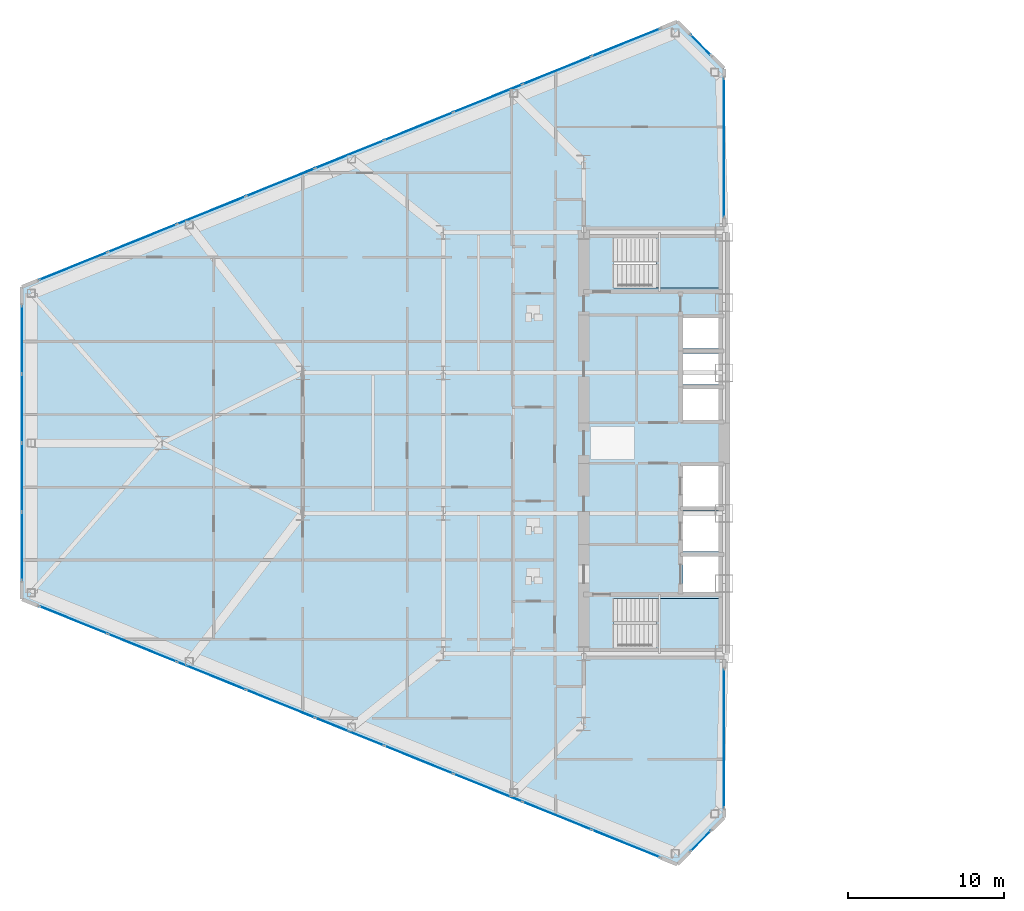
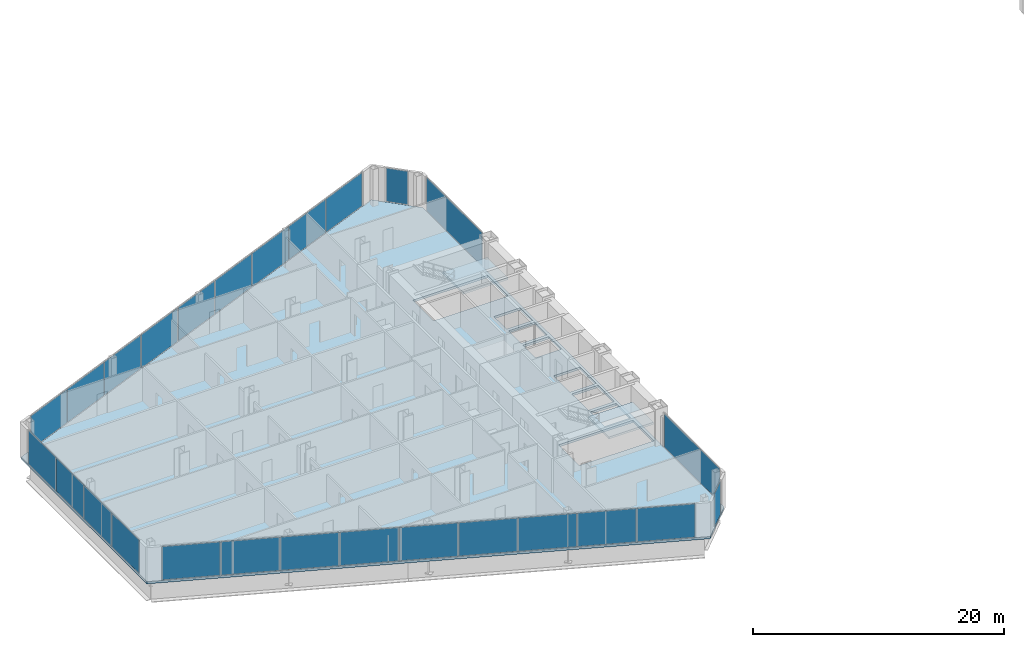
# One storey, part 16 of 26: 26 plates, 3 slabs, 9 elements without a shape of their own.
"""IFC4 building model written with IfcOpenShell, lengths in metres."""

from ifc_helpers import new_model, si_unit, direction, frame, origin, origin_2d, place, context, subcontext, project, spatial, polyline, rectangle, outline, extrude, source, transform, mapped, material, layer, layer_set, type_object, type_shapes, element, aggregate, save


model = new_model("IFC4")

# Units and contexts
model_context = context("Model", 3, precision=1e-05, world=origin(), true_north=direction((0.0, 1.0)))
body_context = subcontext(model_context, "Body", "Model", "MODEL_VIEW")
ifc_project = project(units=[si_unit("LENGTHUNIT", "METRE"), si_unit("AREAUNIT", "SQUARE_METRE"), si_unit("VOLUMEUNIT", "CUBIC_METRE"), si_unit("PLANEANGLEUNIT", "RADIAN"), si_unit("MASSUNIT", "GRAM", prefix="KILO")], contexts=[model_context])

# Site, building, storey
site_placement = place(None, origin())
site = spatial("IfcSite", under=ifc_project, at=site_placement, CompositionType="ELEMENT")
building_placement = place(site_placement, origin())
building = spatial("IfcBuilding", under=site, at=building_placement, Name="Seokmaru Belvedere", CompositionType="ELEMENT")
storey_placement = place(building_placement, frame((0.0, 0.0, 18.89990234375)))
storey = spatial("IfcBuildingStorey", under=building, at=storey_placement, Name="L04", CompositionType="ELEMENT", Elevation=18.89990234375)

# Stair, slab
ifc_material_1 = material(Name="Concrete C40 (40 MPa)", Category="concrete")
stair_type = type_object("IfcStairType", Name="Typical Tower Core Dog-Leg Stair 3600", PredefinedType="TWO_STRAIGHT_RUN_STAIR", material=ifc_material_1)
stair_1_placement = place(storey_placement, origin())
stair_1 = element("IfcStair", 1, at=stair_1_placement, inside=storey, type_object=stair_type, Name="L04 Special Escape Stair ST-W1", PredefinedType="TWO_STRAIGHT_RUN_STAIR")
ifc_layer_1 = layer(ifc_material_1, 0.199951171875)
ifc_layer_set_1 = layer_set([ifc_layer_1], Name="Concrete C40 (40 MPa)")
slab_type_1 = type_object("IfcSlabType", Name="Reinforced Concrete Stair Landing Slab 200", PredefinedType="LANDING", material=ifc_layer_set_1)
slab_1_placement = place(storey_placement, frame((0.0, 0.0, 1.60009765625)))
slab_1 = element("IfcSlab", 2, at=slab_1_placement, type_object=slab_type_1, Name="ST-W1 landing 1", PredefinedType="LANDING", context=body_context, shape_type="SweptSolid", body=[
    extrude(outline(polyline([(-31.8798828125, -13.239990234375), (-27.760009765625, -13.239990234375), (-27.760009765625, -9.949951171875), (-31.8798828125, -9.949951171875), (-31.8798828125, -13.239990234375)])), origin(), (0.0, 0.0, 1.0), 0.199951171875),
])
aggregate(stair_1, [slab_1])

stair_2_placement = place(storey_placement, origin())
stair_2 = element("IfcStair", 3, at=stair_2_placement, inside=storey, type_object=stair_type, Name="L04 Special Escape Stair ST-W2", PredefinedType="TWO_STRAIGHT_RUN_STAIR")
slab_2_placement = place(storey_placement, frame((0.0, 0.0, 1.60009765625)))
slab_2 = element("IfcSlab", 4, at=slab_2_placement, type_object=slab_type_1, Name="ST-W2 landing 1", PredefinedType="LANDING", context=body_context, shape_type="SweptSolid", body=[
    extrude(outline(polyline([(-31.8798828125, 9.949951171875), (-27.760009765625, 9.949951171875), (-27.760009765625, 13.239990234375), (-31.8798828125, 13.239990234375), (-31.8798828125, 9.949951171875)])), origin(), (0.0, 0.0, 1.0), 0.199951171875),
])
aggregate(stair_2, [slab_2])

# Slab
ifc_layer_2 = layer(ifc_material_1, 0.219970703125)
ifc_layer_set_2 = layer_set([ifc_layer_2], Name="Concrete C40 (40 MPa)")
slab_type_2 = type_object("IfcSlabType", Name="Typical Tower Composite Floor Slab 220", PredefinedType="FLOOR", material=ifc_layer_set_2)
slab_3_placement = place(storey_placement, frame((0.0, 0.0, -0.219970703125)))
element("IfcSlab", 5, at=slab_3_placement, inside=storey, type_object=slab_type_2, Name="L04 West Leg Floor Slab", PredefinedType="FLOOR", context=body_context, shape_type="SweptSolid", body=[
    extrude(outline(polyline([(-27.5, -24.0), (-27.5, 24.0), (-30.5, 27.0), (-72.5, 10.0), (-72.5, -10.0), (-30.5, -27.0), (-27.5, -24.0)]), holes=[polyline([(-34.60009765625, -13.25), (-27.75, -13.25), (-27.75, -9.949951171875), (-34.60009765625, -9.949951171875), (-34.60009765625, -13.25)]), polyline([(-34.60009765625, 9.949951171875), (-27.75, 9.949951171875), (-27.75, 13.25), (-34.60009765625, 13.25), (-34.60009765625, 9.949951171875)]), polyline([(-30.14990234375, -9.550048828125), (-27.75, -9.550048828125), (-27.75, -7.25), (-30.14990234375, -7.25), (-30.14990234375, -9.550048828125)]), polyline([(-30.14990234375, -6.949951171875), (-27.75, -6.949951171875), (-27.75, -4.35009765625), (-30.14990234375, -4.35009765625), (-30.14990234375, -6.949951171875)]), polyline([(-30.14990234375, -4.050048828125), (-27.75, -4.050048828125), (-27.75, -1.449951171875), (-30.14990234375, -1.449951171875), (-30.14990234375, -4.050048828125)]), polyline([(-30.14990234375, 1.449951171875), (-27.75, 1.449951171875), (-27.75, 3.449951171875), (-30.14990234375, 3.449951171875), (-30.14990234375, 1.449951171875)]), polyline([(-30.14990234375, 3.75), (-27.75, 3.75), (-27.75, 5.75), (-30.14990234375, 5.75), (-30.14990234375, 3.75)]), polyline([(-30.14990234375, 6.050048828125), (-27.75, 6.050048828125), (-27.75, 8.050048828125), (-30.14990234375, 8.050048828125), (-30.14990234375, 6.050048828125)])]), origin(), (0.0, 0.0, 1.0), 0.219970703125),
])

# Curtain wall, plate
ifc_material_2 = material(Name="Bronze Triple Insulating Glass", Category="glass")
ifc_layer_3 = layer(ifc_material_2, 0.2099609375)
ifc_layer_set_3 = layer_set([ifc_layer_3], Name="Bronze Triple Insulating Glass")
curtain_wall_type = type_object("IfcCurtainWallType", Name="Low-Rise Faceted Crystal Curtain Wall System CW-2", PredefinedType="NOTDEFINED", material=ifc_layer_set_3)
curtain_wall_1_placement = place(storey_placement, origin())
curtain_wall_1 = element("IfcCurtainWall", 6, at=curtain_wall_1_placement, inside=storey, type_object=curtain_wall_type, Name="L04 Curtain Wall WSP_1", PredefinedType="NOTDEFINED")
ifc_layer_4 = layer(ifc_material_2, 0.035888671875)
ifc_layer_set_4 = layer_set([ifc_layer_4], Name="Bronze Triple Insulating Glass")
plate_type = type_object("IfcPlateType", Name="Bronze Triple Vision Glazing Panel 36", PredefinedType="CURTAIN_PANEL", material=ifc_layer_set_4)
shared_shape_1 = source(origin(), body_context, "Body", "SweptSolid", [
    extrude(rectangle(XDim=8.85009765625, YDim=0.035888671875, at=origin_2d()), origin(), (0.0, 0.0, 1.0), 3.239990234375),
])
plate_1_placement = place(storey_placement, frame((-27.5, -18.929931640625, 0.0703125), z_axis=(0.0, 0.0, 1.0), x_axis=(0.0, 1.0, 0.0)))
plate_1 = element("IfcPlate", 7, at=plate_1_placement, type_object=plate_type, Name="CW:L04:WSP_1 Glazing Panel 1-1", PredefinedType="CURTAIN_PANEL", context=body_context, shape_type="MappedRepresentation", body=[
    mapped(shared_shape_1, transform((0.0, 0.0, 0.0), scale=1.0)),
])
aggregate(curtain_wall_1, [plate_1])

curtain_wall_2_placement = place(storey_placement, origin())
curtain_wall_2 = element("IfcCurtainWall", 8, at=curtain_wall_2_placement, inside=storey, type_object=curtain_wall_type, Name="L04 Curtain Wall WSP_2", PredefinedType="NOTDEFINED")
plate_2_placement = place(storey_placement, frame((-27.5, 18.929931640625, 0.0703125), z_axis=(0.0, 0.0, 1.0), x_axis=(0.0, 1.0, 0.0)))
plate_2 = element("IfcPlate", 9, at=plate_2_placement, type_object=plate_type, Name="CW:L04:WSP_2 Glazing Panel 1-1", PredefinedType="CURTAIN_PANEL", context=body_context, shape_type="MappedRepresentation", body=[
    mapped(shared_shape_1, transform((0.0, 0.0, 0.0), scale=1.0)),
])
aggregate(curtain_wall_2, [plate_2])

curtain_wall_3_placement = place(storey_placement, origin())
curtain_wall_3 = element("IfcCurtainWall", 10, at=curtain_wall_3_placement, inside=storey, type_object=curtain_wall_type, Name="L04 Curtain Wall WF2", PredefinedType="NOTDEFINED")
shared_shape_2 = source(origin(), body_context, "Body", "SweptSolid", [
    extrude(rectangle(XDim=1.79248046875, YDim=0.035888671875, at=origin_2d()), origin(), (0.0, 0.0, 1.0), 3.239990234375),
])
plate_3_placement = place(storey_placement, frame((-29.0, 25.5, 0.0703125), z_axis=(0.0, 0.0, 1.0), x_axis=(-0.707106781187, 0.707106781187, 0.0)))
plate_3 = element("IfcPlate", 11, at=plate_3_placement, type_object=plate_type, Name="CW:L04:WF2 Glazing Panel 1-1", PredefinedType="CURTAIN_PANEL", context=body_context, shape_type="MappedRepresentation", body=[
    mapped(shared_shape_2, transform((0.0, 0.0, 0.0), scale=1.0)),
])
aggregate(curtain_wall_3, [plate_3])

curtain_wall_4_placement = place(storey_placement, origin())
curtain_wall_4 = element("IfcCurtainWall", 12, at=curtain_wall_4_placement, inside=storey, type_object=curtain_wall_type, Name="L04 Curtain Wall WF6", PredefinedType="NOTDEFINED")
plate_4_placement = place(storey_placement, frame((-29.0, -25.5, 0.0703125), z_axis=(0.0, 0.0, 1.0), x_axis=(0.707106781187, 0.707106781187, 0.0)))
plate_4 = element("IfcPlate", 13, at=plate_4_placement, type_object=plate_type, Name="CW:L04:WF6 Glazing Panel 1-1", PredefinedType="CURTAIN_PANEL", context=body_context, shape_type="MappedRepresentation", body=[
    mapped(shared_shape_2, transform((0.0, 0.0, 0.0), scale=1.0)),
])
aggregate(curtain_wall_4, [plate_4])

# Curtain wall, plates
curtain_wall_5_placement = place(storey_placement, origin())
curtain_wall_5 = element("IfcCurtainWall", 14, at=curtain_wall_5_placement, inside=storey, type_object=curtain_wall_type, Name="L04 Curtain Wall WF3", PredefinedType="NOTDEFINED")
shared_shape_3 = source(origin(), body_context, "Body", "SweptSolid", [
    extrude(rectangle(XDim=4.66650390625, YDim=0.035888671875, at=origin_2d()), origin(), (0.0, 0.0, 1.0), 3.239990234375),
])
plate_5_placement = place(storey_placement, frame((-33.79833984375, 25.6650390625, 0.0703125), z_axis=(0.0, 0.0, 1.0), x_axis=(-0.926946989637, -0.375192321888, 0.0)))
plate_5 = element("IfcPlate", 15, at=plate_5_placement, type_object=plate_type, Name="CW:L04:WF3 Glazing Panel 1-1", PredefinedType="CURTAIN_PANEL", context=body_context, shape_type="MappedRepresentation", body=[
    mapped(shared_shape_3, transform((0.0, 0.0, 0.0), scale=1.0)),
])
plate_6_placement = place(storey_placement, frame((-69.20166015625, 11.3349609375, 0.0703125), z_axis=(0.0, 0.0, 1.0), x_axis=(-0.926946989637, -0.375192321888, 0.0)))
plate_6 = element("IfcPlate", 16, at=plate_6_placement, type_object=plate_type, Name="CW:L04:WF3 Glazing Panel 9-1", PredefinedType="CURTAIN_PANEL", context=body_context, shape_type="MappedRepresentation", body=[
    mapped(shared_shape_3, transform((0.0, 0.0, 0.0), scale=1.0)),
])

curtain_wall_6_placement = place(storey_placement, origin())
curtain_wall_6 = element("IfcCurtainWall", 17, at=curtain_wall_6_placement, inside=storey, type_object=curtain_wall_type, Name="L04 Curtain Wall WF5", PredefinedType="NOTDEFINED")
plate_7_placement = place(storey_placement, frame((-69.20166015625, -11.3349609375, 0.0703125), z_axis=(0.0, 0.0, 1.0), x_axis=(0.926946989637, -0.375192321888, 0.0)))
plate_7 = element("IfcPlate", 18, at=plate_7_placement, type_object=plate_type, Name="CW:L04:WF5 Glazing Panel 1-1", PredefinedType="CURTAIN_PANEL", context=body_context, shape_type="MappedRepresentation", body=[
    mapped(shared_shape_3, transform((0.0, 0.0, 0.0), scale=1.0)),
])
plate_8_placement = place(storey_placement, frame((-33.79833984375, -25.6650390625, 0.0703125), z_axis=(0.0, 0.0, 1.0), x_axis=(0.926946989637, -0.375192321888, 0.0)))
plate_8 = element("IfcPlate", 19, at=plate_8_placement, type_object=plate_type, Name="CW:L04:WF5 Glazing Panel 9-1", PredefinedType="CURTAIN_PANEL", context=body_context, shape_type="MappedRepresentation", body=[
    mapped(shared_shape_3, transform((0.0, 0.0, 0.0), scale=1.0)),
])

# Plate
shared_shape_4 = source(origin(), body_context, "Body", "SweptSolid", [
    extrude(rectangle(XDim=4.703857421875, YDim=0.035888671875, at=origin_2d()), origin(), (0.0, 0.0, 1.0), 3.239990234375),
])
plate_9_placement = place(storey_placement, frame((-38.210693359375, 23.87890625, 0.0703125), z_axis=(0.0, 0.0, 1.0), x_axis=(-0.926946989637, -0.375192321888, 0.0)))
plate_9 = element("IfcPlate", 20, at=plate_9_placement, type_object=plate_type, Name="CW:L04:WF3 Glazing Panel 2-1", PredefinedType="CURTAIN_PANEL", context=body_context, shape_type="MappedRepresentation", body=[
    mapped(shared_shape_4, transform((0.0, 0.0, 0.0), scale=1.0)),
])

plate_10_placement = place(storey_placement, frame((-42.640380859375, 22.0859375, 0.0703125), z_axis=(0.0, 0.0, 1.0), x_axis=(-0.926946989637, -0.375192321888, 0.0)))
plate_10 = element("IfcPlate", 21, at=plate_10_placement, type_object=plate_type, Name="CW:L04:WF3 Glazing Panel 3-1", PredefinedType="CURTAIN_PANEL", context=body_context, shape_type="MappedRepresentation", body=[
    mapped(shared_shape_4, transform((0.0, 0.0, 0.0), scale=1.0)),
])

plate_11_placement = place(storey_placement, frame((-47.0703125, 20.29296875, 0.0703125), z_axis=(0.0, 0.0, 1.0), x_axis=(-0.926946989637, -0.375192321888, 0.0)))
plate_11 = element("IfcPlate", 22, at=plate_11_placement, type_object=plate_type, Name="CW:L04:WF3 Glazing Panel 4-1", PredefinedType="CURTAIN_PANEL", context=body_context, shape_type="MappedRepresentation", body=[
    mapped(shared_shape_4, transform((0.0, 0.0, 0.0), scale=1.0)),
])

plate_12_placement = place(storey_placement, frame((-51.5, 18.5, 0.0703125), z_axis=(0.0, 0.0, 1.0), x_axis=(-0.926946989637, -0.375192321888, 0.0)))
plate_12 = element("IfcPlate", 23, at=plate_12_placement, type_object=plate_type, Name="CW:L04:WF3 Glazing Panel 5-1", PredefinedType="CURTAIN_PANEL", context=body_context, shape_type="MappedRepresentation", body=[
    mapped(shared_shape_4, transform((0.0, 0.0, 0.0), scale=1.0)),
])

plate_13_placement = place(storey_placement, frame((-55.9296875, 16.70703125, 0.0703125), z_axis=(0.0, 0.0, 1.0), x_axis=(-0.926946989637, -0.375192321888, 0.0)))
plate_13 = element("IfcPlate", 24, at=plate_13_placement, type_object=plate_type, Name="CW:L04:WF3 Glazing Panel 6-1", PredefinedType="CURTAIN_PANEL", context=body_context, shape_type="MappedRepresentation", body=[
    mapped(shared_shape_4, transform((0.0, 0.0, 0.0), scale=1.0)),
])

plate_14_placement = place(storey_placement, frame((-60.359619140625, 14.9140625, 0.0703125), z_axis=(0.0, 0.0, 1.0), x_axis=(-0.926946989637, -0.375192321888, 0.0)))
plate_14 = element("IfcPlate", 25, at=plate_14_placement, type_object=plate_type, Name="CW:L04:WF3 Glazing Panel 7-1", PredefinedType="CURTAIN_PANEL", context=body_context, shape_type="MappedRepresentation", body=[
    mapped(shared_shape_4, transform((0.0, 0.0, 0.0), scale=1.0)),
])

plate_15_placement = place(storey_placement, frame((-64.789306640625, 13.12109375, 0.0703125), z_axis=(0.0, 0.0, 1.0), x_axis=(-0.926946989637, -0.375192321888, 0.0)))
plate_15 = element("IfcPlate", 26, at=plate_15_placement, type_object=plate_type, Name="CW:L04:WF3 Glazing Panel 8-1", PredefinedType="CURTAIN_PANEL", context=body_context, shape_type="MappedRepresentation", body=[
    mapped(shared_shape_4, transform((0.0, 0.0, 0.0), scale=1.0)),
])

aggregate(curtain_wall_5, [plate_5, plate_9, plate_10, plate_11, plate_12, plate_13, plate_14, plate_15, plate_6])

plate_16_placement = place(storey_placement, frame((-64.789306640625, -13.12109375, 0.0703125), z_axis=(0.0, 0.0, 1.0), x_axis=(0.926946989637, -0.375192321888, 0.0)))
plate_16 = element("IfcPlate", 27, at=plate_16_placement, type_object=plate_type, Name="CW:L04:WF5 Glazing Panel 2-1", PredefinedType="CURTAIN_PANEL", context=body_context, shape_type="MappedRepresentation", body=[
    mapped(shared_shape_4, transform((0.0, 0.0, 0.0), scale=1.0)),
])

plate_17_placement = place(storey_placement, frame((-60.359619140625, -14.9140625, 0.0703125), z_axis=(0.0, 0.0, 1.0), x_axis=(0.926946989637, -0.375192321888, 0.0)))
plate_17 = element("IfcPlate", 28, at=plate_17_placement, type_object=plate_type, Name="CW:L04:WF5 Glazing Panel 3-1", PredefinedType="CURTAIN_PANEL", context=body_context, shape_type="MappedRepresentation", body=[
    mapped(shared_shape_4, transform((0.0, 0.0, 0.0), scale=1.0)),
])

plate_18_placement = place(storey_placement, frame((-55.9296875, -16.70703125, 0.0703125), z_axis=(0.0, 0.0, 1.0), x_axis=(0.926946989637, -0.375192321888, 0.0)))
plate_18 = element("IfcPlate", 29, at=plate_18_placement, type_object=plate_type, Name="CW:L04:WF5 Glazing Panel 4-1", PredefinedType="CURTAIN_PANEL", context=body_context, shape_type="MappedRepresentation", body=[
    mapped(shared_shape_4, transform((0.0, 0.0, 0.0), scale=1.0)),
])

plate_19_placement = place(storey_placement, frame((-51.5, -18.5, 0.0703125), z_axis=(0.0, 0.0, 1.0), x_axis=(0.926946989637, -0.375192321888, 0.0)))
plate_19 = element("IfcPlate", 30, at=plate_19_placement, type_object=plate_type, Name="CW:L04:WF5 Glazing Panel 5-1", PredefinedType="CURTAIN_PANEL", context=body_context, shape_type="MappedRepresentation", body=[
    mapped(shared_shape_4, transform((0.0, 0.0, 0.0), scale=1.0)),
])

plate_20_placement = place(storey_placement, frame((-47.0703125, -20.29296875, 0.0703125), z_axis=(0.0, 0.0, 1.0), x_axis=(0.926946989637, -0.375192321888, 0.0)))
plate_20 = element("IfcPlate", 31, at=plate_20_placement, type_object=plate_type, Name="CW:L04:WF5 Glazing Panel 6-1", PredefinedType="CURTAIN_PANEL", context=body_context, shape_type="MappedRepresentation", body=[
    mapped(shared_shape_4, transform((0.0, 0.0, 0.0), scale=1.0)),
])

plate_21_placement = place(storey_placement, frame((-42.640380859375, -22.0859375, 0.0703125), z_axis=(0.0, 0.0, 1.0), x_axis=(0.926946989637, -0.375192321888, 0.0)))
plate_21 = element("IfcPlate", 32, at=plate_21_placement, type_object=plate_type, Name="CW:L04:WF5 Glazing Panel 7-1", PredefinedType="CURTAIN_PANEL", context=body_context, shape_type="MappedRepresentation", body=[
    mapped(shared_shape_4, transform((0.0, 0.0, 0.0), scale=1.0)),
])

plate_22_placement = place(storey_placement, frame((-38.210693359375, -23.87890625, 0.0703125), z_axis=(0.0, 0.0, 1.0), x_axis=(0.926946989637, -0.375192321888, 0.0)))
plate_22 = element("IfcPlate", 33, at=plate_22_placement, type_object=plate_type, Name="CW:L04:WF5 Glazing Panel 8-1", PredefinedType="CURTAIN_PANEL", context=body_context, shape_type="MappedRepresentation", body=[
    mapped(shared_shape_4, transform((0.0, 0.0, 0.0), scale=1.0)),
])

aggregate(curtain_wall_6, [plate_7, plate_16, plate_17, plate_18, plate_19, plate_20, plate_21, plate_22, plate_8])

# Curtain wall, plates
curtain_wall_7_placement = place(storey_placement, origin())
curtain_wall_7 = element("IfcCurtainWall", 34, at=curtain_wall_7_placement, inside=storey, type_object=curtain_wall_type, Name="L04 Curtain Wall WF4", PredefinedType="NOTDEFINED")
shared_shape_5 = source(origin(), body_context, "Body", "SweptSolid", [
    extrude(rectangle(XDim=4.3125, YDim=0.035888671875, at=origin_2d()), origin(), (0.0, 0.0, 1.0), 3.239990234375),
])
plate_23_placement = place(storey_placement, frame((-72.5, 6.61865234375, 0.0703125), z_axis=(0.0, 0.0, 1.0), x_axis=(0.0, -1.0, 0.0)))
plate_23 = element("IfcPlate", 35, at=plate_23_placement, type_object=plate_type, Name="CW:L04:WF4 Glazing Panel 1-1", PredefinedType="CURTAIN_PANEL", context=body_context, shape_type="MappedRepresentation", body=[
    mapped(shared_shape_5, transform((0.0, 0.0, 0.0), scale=1.0)),
])
plate_24_placement = place(storey_placement, frame((-72.5, -6.61865234375, 0.0703125), z_axis=(0.0, 0.0, 1.0), x_axis=(0.0, -1.0, 0.0)))
plate_24 = element("IfcPlate", 36, at=plate_24_placement, type_object=plate_type, Name="CW:L04:WF4 Glazing Panel 4-1", PredefinedType="CURTAIN_PANEL", context=body_context, shape_type="MappedRepresentation", body=[
    mapped(shared_shape_5, transform((0.0, 0.0, 0.0), scale=1.0)),
])
shared_shape_6 = source(origin(), body_context, "Body", "SweptSolid", [
    extrude(rectangle(XDim=4.35009765625, YDim=0.035888671875, at=origin_2d()), origin(), (0.0, 0.0, 1.0), 3.239990234375),
])
type_shapes(plate_type, [shared_shape_1, shared_shape_2, shared_shape_3, shared_shape_4, shared_shape_5, shared_shape_6])
plate_25_placement = place(storey_placement, frame((-72.5, 2.21240234375, 0.0703125), z_axis=(0.0, 0.0, 1.0), x_axis=(0.0, -1.0, 0.0)))
plate_25 = element("IfcPlate", 37, at=plate_25_placement, type_object=plate_type, Name="CW:L04:WF4 Glazing Panel 2-1", PredefinedType="CURTAIN_PANEL", context=body_context, shape_type="MappedRepresentation", body=[
    mapped(shared_shape_6, transform((0.0, 0.0, 0.0), scale=1.0)),
])
plate_26_placement = place(storey_placement, frame((-72.5, -2.21240234375, 0.0703125), z_axis=(0.0, 0.0, 1.0), x_axis=(0.0, -1.0, 0.0)))
plate_26 = element("IfcPlate", 38, at=plate_26_placement, type_object=plate_type, Name="CW:L04:WF4 Glazing Panel 3-1", PredefinedType="CURTAIN_PANEL", context=body_context, shape_type="MappedRepresentation", body=[
    mapped(shared_shape_6, transform((0.0, 0.0, 0.0), scale=1.0)),
])
aggregate(curtain_wall_7, [plate_23, plate_25, plate_26, plate_24])

save(model, "model.ifc")
